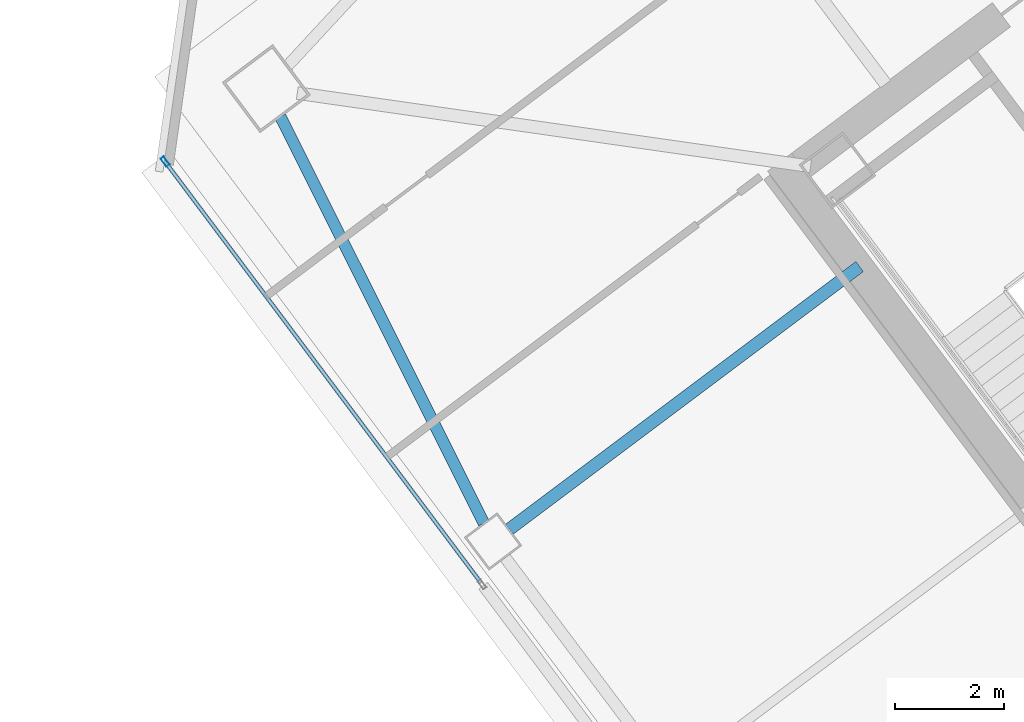
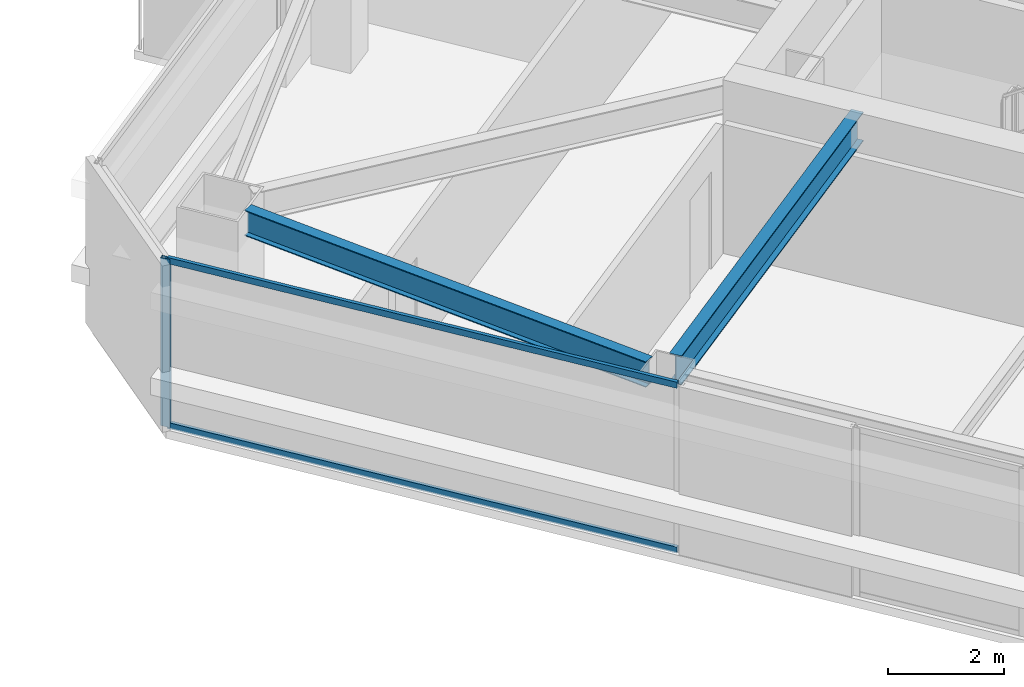
# One storey, part 21 of 43: 3 members, 2 beams, 1 element without a shape of its own.
"""IFC4 building model written with IfcOpenShell, lengths in metres."""

from ifc_helpers import new_model, si_unit, direction, frame, origin, origin_2d, place, context, subcontext, project, spatial, hollow_rectangle, i_section, extrude, material, material_profile, profile_set, type_object, element, aggregate, save


model = new_model("IFC4")

# Units and contexts
model_context = context("Model", 3, precision=1e-05, world=origin(), true_north=direction((0.0, 1.0)))
body_context = subcontext(model_context, "Body", "Model", "MODEL_VIEW")
ifc_project = project(units=[si_unit("LENGTHUNIT", "METRE"), si_unit("AREAUNIT", "SQUARE_METRE"), si_unit("VOLUMEUNIT", "CUBIC_METRE"), si_unit("PLANEANGLEUNIT", "RADIAN"), si_unit("MASSUNIT", "GRAM", prefix="KILO")], contexts=[model_context])

# Site, building, storey
site_placement = place(None, origin())
site = spatial("IfcSite", under=ifc_project, at=site_placement, CompositionType="ELEMENT")
building_placement = place(site_placement, origin())
building = spatial("IfcBuilding", under=site, at=building_placement, Name="Tashvorn Skyway Center", CompositionType="ELEMENT")
storey_placement = place(building_placement, frame((0.0, 0.0, 188.949951171875)))
storey = spatial("IfcBuildingStorey", under=building, at=storey_placement, Name="L51", CompositionType="ELEMENT", Elevation=188.949951171875)

# Beams
ifc_material_1 = material(Name="Steel ASTM A992 Grade 50", Category="steel")
ifc_material_profile_1 = material_profile(ifc_material_1, i_section(OverallWidth=0.22998046875, OverallDepth=0.616943359375, WebThickness=0.01318359375, FlangeThickness=0.022216796875, at=origin_2d()), Name="W24X94")
ifc_profile_set_1 = profile_set([ifc_material_profile_1], Name="Steel ASTM A992 Grade 50")
beam_type_1 = type_object("IfcBeamType", Name="BM-BEAM-W24X94", PredefinedType="BEAM", material=ifc_profile_set_1)
beam_1_placement = place(storey_placement, frame((98.135986328125, 26.85205078125, 3.0615234375), z_axis=(0.799992675677, 0.60000976564, 0.0), x_axis=(-0.60000976564, 0.799992675677, 0.0)))
element("IfcBeam", 1, at=beam_1_placement, inside=storey, type_object=beam_type_1, Name="Tower 2 L51 Primary Floor Girder FC-W1", PredefinedType="BEAM", context=body_context, shape_type="SweptSolid", body=[
    extrude(i_section(OverallWidth=0.22998046875, OverallDepth=0.616943359375, WebThickness=0.01318359375, FlangeThickness=0.022216796875, at=origin_2d()), origin(), (0.0, 0.0, 1.0), 8.0),
])
ifc_material_profile_2 = material_profile(ifc_material_1, i_section(OverallWidth=0.2109375, OverallDepth=0.5390625, WebThickness=0.01171875, FlangeThickness=0.018798828125, at=origin_2d()), Name="W21X73")
ifc_profile_set_2 = profile_set([ifc_material_profile_2], Name="Steel ASTM A992 Grade 50")
beam_type_2 = type_object("IfcBeamType", Name="BM-SPANDREL-W21X73", PredefinedType="SPANDREL", material=ifc_profile_set_2)
beam_2_placement = place(storey_placement, frame((93.955078125, 34.390380859375, 3.1005859375), z_axis=(0.447648438059, -0.894209637559, 0.0), x_axis=(0.894209637559, 0.447648438059, 0.0)))
element("IfcBeam", 2, at=beam_2_placement, inside=storey, type_object=beam_type_2, Name="Tower 2 L51 Spandrel Beam 10", PredefinedType="SPANDREL", context=body_context, shape_type="SweptSolid", body=[
    extrude(i_section(OverallWidth=0.2109375, OverallDepth=0.5390625, WebThickness=0.01171875, FlangeThickness=0.018798828125, at=origin_2d()), origin(), (0.0, 0.0, 1.0), 8.308349609375),
])

# Curtain wall, members
ifc_material_2 = material(Name="Thermally broken bronze-anodized aluminium 6063-T6", Category="aluminium")
curtain_wall_type = type_object("IfcCurtainWallType", Name="CW-CW-Z4", PredefinedType="NOTDEFINED", material=ifc_material_2)
curtain_wall_placement = place(storey_placement, origin())
curtain_wall = element("IfcCurtainWall", 3, at=curtain_wall_placement, inside=storey, type_object=curtain_wall_type, Name="Tower 2 L51 West Unitised Curtain Wall Glazing Group 3", PredefinedType="NOTDEFINED")
ifc_material_profile_3 = material_profile(ifc_material_2, hollow_rectangle(XDim=0.070068359375, YDim=0.179931640625, WallThickness=0.00390625, at=origin_2d()), Name="ALU-MULL-70x180")
ifc_profile_set_3 = profile_set([ifc_material_profile_3], Name="Thermally broken bronze-anodized aluminium 6063-T6")
member_type_1 = type_object("IfcMemberType", Name="CWM-CW-Z4", PredefinedType="MULLION", material=ifc_profile_set_3)
member_1_placement = place(storey_placement, frame((91.84912109375, 33.568115234375, 0.0), z_axis=(0.0, 0.0, 1.0), x_axis=(-0.799999999998, -0.600000000002, 0.0)))
member_1 = element("IfcMember", 4, at=member_1_placement, type_object=member_type_1, Name="CW-Z4 mullion 2", PredefinedType="MULLION", context=body_context, shape_type="SweptSolid", body=[
    extrude(hollow_rectangle(XDim=0.070068359375, YDim=0.179931640625, WallThickness=0.00390625, at=origin_2d()), origin(), (0.0, 0.0, 1.0), 3.550048828125),
])
ifc_material_profile_4 = material_profile(ifc_material_2, hollow_rectangle(XDim=0.070068359375, YDim=0.1298828125, WallThickness=0.00390625, at=origin_2d()), Name="ALU-TRAN-70x130")
ifc_profile_set_4 = profile_set([ifc_material_profile_4], Name="Thermally broken bronze-anodized aluminium 6063-T6")
member_type_2 = type_object("IfcMemberType", Name="CWT-CW-Z4", PredefinedType="USERDEFINED", material=ifc_profile_set_4)
member_2_placement = place(storey_placement, frame((97.617919921875, 25.8759765625, 0.03515625), z_axis=(-0.599983689738, 0.800012232437, 0.0), x_axis=(-0.800012232437, -0.599983689738, 0.0)))
member_2 = element("IfcMember", 5, at=member_2_placement, type_object=member_type_2, Name="CW-Z4 transom 1.1", ObjectType="TRANSOM", PredefinedType="USERDEFINED", context=body_context, shape_type="SweptSolid", body=[
    extrude(hollow_rectangle(XDim=0.070068359375, YDim=0.1298828125, WallThickness=0.00390625, at=origin_2d()), origin(), (0.0, 0.0, 1.0), 9.579833984375),
])
member_3_placement = place(storey_placement, frame((97.617919921875, 25.8759765625, 3.51513671875), z_axis=(-0.599983689738, 0.800012232437, 0.0), x_axis=(-0.800012232437, -0.599983689738, 0.0)))
member_3 = element("IfcMember", 6, at=member_3_placement, type_object=member_type_2, Name="CW-Z4 transom 1.2", ObjectType="TRANSOM", PredefinedType="USERDEFINED", context=body_context, shape_type="SweptSolid", body=[
    extrude(hollow_rectangle(XDim=0.070068359375, YDim=0.1298828125, WallThickness=0.00390625, at=origin_2d()), origin(), (0.0, 0.0, 1.0), 9.579833984375),
])
aggregate(curtain_wall, [member_1, member_2, member_3])

save(model, "model.ifc")
